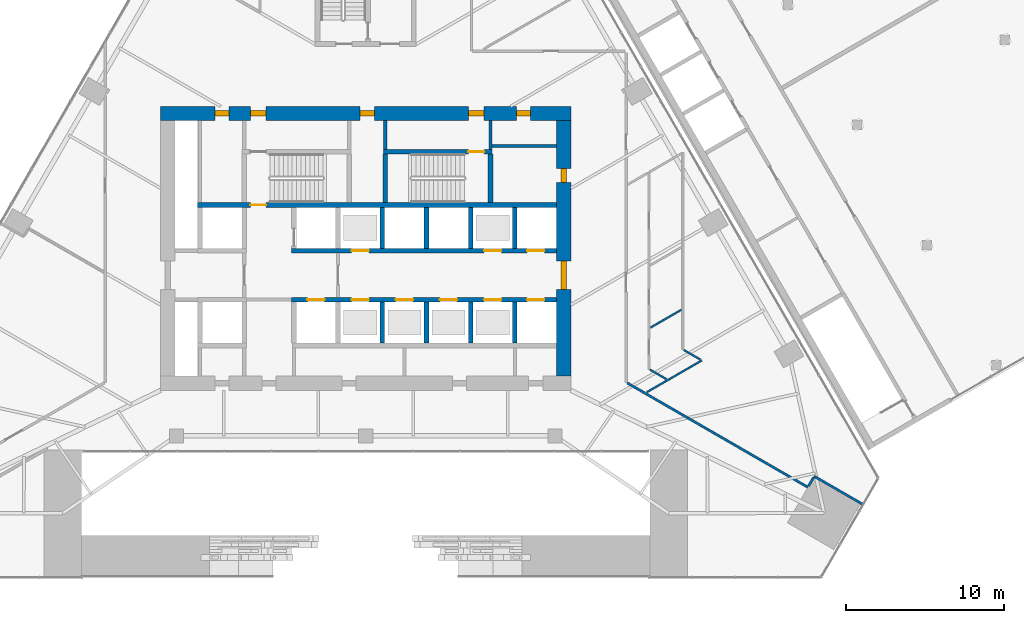
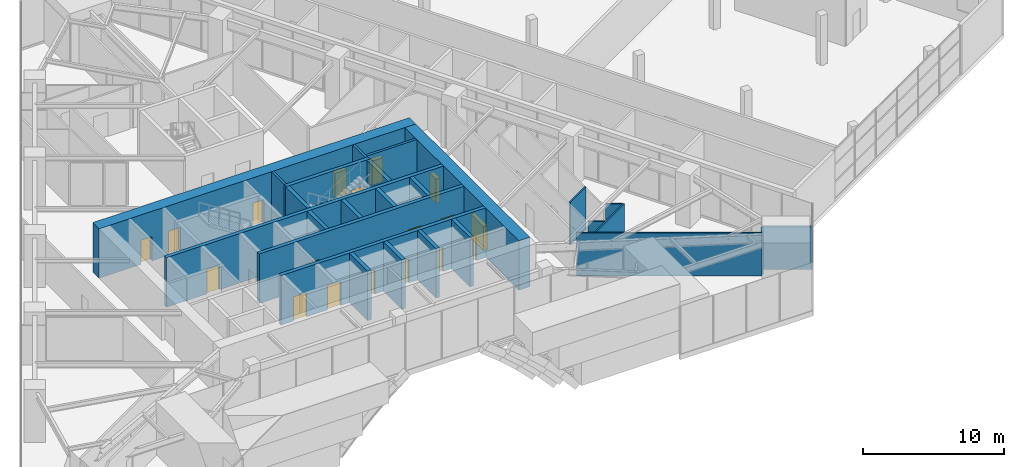
# One storey, part 17 of 23: 26 walls, 18 doors, 18 openings.
"""IFC4 building model written with IfcOpenShell, lengths in metres."""

from ifc_helpers import new_model, si_unit, direction, frame, frame_2d, origin, place, context, subcontext, project, spatial, rectangle, extrude, material, layer, layer_set, type_object, element, fill, save


model = new_model("IFC4")

# Units and contexts
model_context = context("Model", 3, precision=1e-05, world=origin(), true_north=direction((0.0, 1.0)))
body_context = subcontext(model_context, "Body", "Model", "MODEL_VIEW")
ifc_project = project(units=[si_unit("LENGTHUNIT", "METRE"), si_unit("AREAUNIT", "SQUARE_METRE"), si_unit("VOLUMEUNIT", "CUBIC_METRE"), si_unit("PLANEANGLEUNIT", "RADIAN"), si_unit("MASSUNIT", "GRAM", prefix="KILO")], contexts=[model_context])

# Site, building, storey
site_placement = place(None, origin())
site = spatial("IfcSite", under=ifc_project, at=site_placement, CompositionType="ELEMENT")
building_placement = place(site_placement, origin())
building = spatial("IfcBuilding", under=site, at=building_placement, Name="Firuza Gate Tower and Library", CompositionType="ELEMENT")
storey_placement = place(building_placement, frame((0.0, 0.0, 21.800048828125)))
storey = spatial("IfcBuildingStorey", under=building, at=storey_placement, Name="L04", CompositionType="ELEMENT", Elevation=21.800048828125)

# Walls
ifc_material_1 = material(Name="Plasterboard on steel studs", Category="steel")
ifc_layer_1 = layer(ifc_material_1, 0.199951171875)
ifc_layer_set_1 = layer_set([ifc_layer_1], Name="Core partition 200 EI 120")
wall_type_1 = type_object("IfcWallType", Name="Core partition 200 EI 120", PredefinedType="PARTITIONING", material=ifc_layer_set_1)
wall_1_placement = place(storey_placement, frame((83.0, 81.4951171875, 0.0), z_axis=(0.0, 0.0, 1.0), x_axis=(1.0, 0.0, 0.0)))
element("IfcWall", 1, at=wall_1_placement, inside=storey, type_object=wall_type_1, Name="Core partition L04 4", PredefinedType="PARTITIONING", context=body_context, shape_type="SweptSolid", body=[
    extrude(rectangle(XDim=4.10009765625, YDim=0.199951171875, at=frame_2d((2.050048828125, 0.0))), origin(), (0.0, 0.0, 1.0), 4.300048828125),
])
wall_2_placement = place(storey_placement, frame((82.89990234375, 81.280029296875, 0.0), z_axis=(0.0, 0.0, 1.0), x_axis=(0.0, 1.0, 0.0)))
element("IfcWall", 2, at=wall_2_placement, inside=storey, type_object=wall_type_1, Name="Core partition L04 15", PredefinedType="PARTITIONING", context=body_context, shape_type="SweptSolid", body=[
    extrude(rectangle(XDim=1.820068359375, YDim=0.199951171875, at=frame_2d((0.91015625, 0.0))), origin(), (0.0, 0.0, 1.0), 4.300048828125),
])
ifc_material_2 = material(Name="Plasterboard on steel studs", Category="steel")
ifc_layer_2 = layer(ifc_material_2, 0.199951171875)
ifc_layer_set_2 = layer_set([ifc_layer_2], Name="Core partition 200 EI 60")
wall_type_2 = type_object("IfcWallType", Name="Core partition 200 EI 60", PredefinedType="PARTITIONING", material=ifc_layer_set_2)
wall_3_placement = place(storey_placement, frame((76.239990234375, 81.280029296875, 0.0), z_axis=(0.0, 0.0, 1.0), x_axis=(0.0, 1.0, 0.0)))
element("IfcWall", 3, at=wall_3_placement, inside=storey, type_object=wall_type_2, Name="Core partition L04 13", PredefinedType="PARTITIONING", context=body_context, shape_type="SweptSolid", body=[
    extrude(rectangle(XDim=1.820068359375, YDim=0.199951171875, at=frame_2d((0.91015625, 0.0))), origin(), (0.0, 0.0, 1.0), 4.300048828125),
])

# Wall, openings, doors
ifc_material_3 = material(Name="Concrete C80/95", Category="concrete")
ifc_layer_3 = layer(ifc_material_3, 0.300048828125)
ifc_layer_set_3 = layer_set([ifc_layer_3], Name="Core wall 300 C80/95")
wall_type_3 = type_object("IfcWallType", Name="Core wall 300 C80/95", PredefinedType="SHEAR", material=ifc_layer_set_3)
wall_4_placement = place(storey_placement, frame((70.300048828125, 71.75, 0.0), z_axis=(0.0, 0.0, 1.0), x_axis=(1.0, 0.0, 0.0)))
wall_4 = element("IfcWall", 4, at=wall_4_placement, inside=storey, type_object=wall_type_3, Name="Core wall L04 8", PredefinedType="SHEAR", context=body_context, shape_type="SweptSolid", body=[
    extrude(rectangle(XDim=16.800048828125, YDim=0.300048828125, at=frame_2d((8.39990234375, 0.0))), origin(), (0.0, 0.0, 1.0), 4.300048828125),
])
opening_1_placement = place(wall_4_placement, frame((1.0, 0.0, 0.0)))
opening_1 = element("IfcOpeningElement", 5, at=opening_1_placement, cuts=wall_4, Name="Opening LD-FF1-L04", PredefinedType="OPENING", context=body_context, shape_type="SweptSolid", body=[
    extrude(rectangle(XDim=1.10009765625, YDim=2.10009765625, at=frame_2d((0.550048828125, 1.050048828125))), frame((0.0, 0.16015625, 0.0), z_axis=(0.0, -1.0, 0.0), x_axis=(1.0, 0.0, 0.0)), (0.0, 0.0, 1.0), 0.320068359375),
])
opening_2_placement = place(wall_4_placement, frame((3.800048828125, 0.0, 0.0)))
opening_2 = element("IfcOpeningElement", 6, at=opening_2_placement, cuts=wall_4, Name="Opening LD-LR1-L04", PredefinedType="OPENING", context=body_context, shape_type="SweptSolid", body=[
    extrude(rectangle(XDim=1.10009765625, YDim=2.10009765625, at=frame_2d((0.550048828125, 1.050048828125))), frame((0.0, 0.16015625, 0.0), z_axis=(0.0, -1.0, 0.0), x_axis=(1.0, 0.0, 0.0)), (0.0, 0.0, 1.0), 0.320068359375),
])
opening_3_placement = place(wall_4_placement, frame((6.60009765625, 0.0, 0.0)))
opening_3 = element("IfcOpeningElement", 7, at=opening_3_placement, cuts=wall_4, Name="Opening LD-LR2-L04", PredefinedType="OPENING", context=body_context, shape_type="SweptSolid", body=[
    extrude(rectangle(XDim=1.10009765625, YDim=2.10009765625, at=frame_2d((0.550048828125, 1.050048828125))), frame((0.0, 0.16015625, 0.0), z_axis=(0.0, -1.0, 0.0), x_axis=(1.0, 0.0, 0.0)), (0.0, 0.0, 1.0), 0.320068359375),
])
opening_4_placement = place(wall_4_placement, frame((9.39990234375, 0.0, 0.0)))
opening_4 = element("IfcOpeningElement", 8, at=opening_4_placement, cuts=wall_4, Name="Opening LD-LR3-L04", PredefinedType="OPENING", context=body_context, shape_type="SweptSolid", body=[
    extrude(rectangle(XDim=1.10009765625, YDim=2.10009765625, at=frame_2d((0.550048828125, 1.050048828125))), frame((0.0, 0.16015625, 0.0), z_axis=(0.0, -1.0, 0.0), x_axis=(1.0, 0.0, 0.0)), (0.0, 0.0, 1.0), 0.320068359375),
])
opening_5_placement = place(wall_4_placement, frame((12.199951171875, 0.0, 0.0)))
opening_5 = element("IfcOpeningElement", 9, at=opening_5_placement, cuts=wall_4, Name="Opening LD-LR5-L04", PredefinedType="OPENING", context=body_context, shape_type="SweptSolid", body=[
    extrude(rectangle(XDim=1.10009765625, YDim=2.10009765625, at=frame_2d((0.550048828125, 1.050048828125))), frame((0.0, 0.16015625, 0.0), z_axis=(0.0, -1.0, 0.0), x_axis=(1.0, 0.0, 0.0)), (0.0, 0.0, 1.0), 0.320068359375),
])
opening_6_placement = place(wall_4_placement, frame((14.925048828125, 0.0, 0.0)))
opening_6 = element("IfcOpeningElement", 10, at=opening_6_placement, cuts=wall_4, Name="Opening LD-LR7-L04", PredefinedType="OPENING", context=body_context, shape_type="SweptSolid", body=[
    extrude(rectangle(XDim=1.10009765625, YDim=2.10009765625, at=frame_2d((0.550048828125, 1.050048828125))), frame((0.0, 0.16015625, 0.0), z_axis=(0.0, -1.0, 0.0), x_axis=(1.0, 0.0, 0.0)), (0.0, 0.0, 1.0), 0.320068359375),
])
ifc_material_4 = material(Name="Stainless steel", Category="steel")
door_type_1 = type_object("IfcDoorType", Name="Lift landing door 1100x2100", OperationType="DOUBLE_DOOR_SLIDING", PredefinedType="DOOR", material=ifc_material_4)
door_1_placement = place(opening_1_placement, origin())
door_1 = element("IfcDoor", 11, at=door_1_placement, inside=storey, type_object=door_type_1, Name="Landing door FF1 L04", OperationType="DOUBLE_DOOR_SLIDING", OverallHeight=2.10009765625, OverallWidth=1.10009765625, PredefinedType="DOOR", context=body_context, shape_type="SweptSolid", body=[
    extrude(rectangle(XDim=1.10009765625, YDim=2.10009765625, at=frame_2d((0.550048828125, 1.050048828125))), frame((0.0, 0.02490234375, 0.0), z_axis=(0.0, -1.0, 0.0), x_axis=(1.0, 0.0, 0.0)), (0.0, 0.0, 1.0), 0.050048828125),
])
fill(opening_1, door_1)
door_2_placement = place(opening_2_placement, origin())
door_2 = element("IfcDoor", 12, at=door_2_placement, inside=storey, type_object=door_type_1, Name="Landing door LR1 L04", OperationType="DOUBLE_DOOR_SLIDING", OverallHeight=2.10009765625, OverallWidth=1.10009765625, PredefinedType="DOOR", context=body_context, shape_type="SweptSolid", body=[
    extrude(rectangle(XDim=1.10009765625, YDim=2.10009765625, at=frame_2d((0.550048828125, 1.050048828125))), frame((0.0, 0.02490234375, 0.0), z_axis=(0.0, -1.0, 0.0), x_axis=(1.0, 0.0, 0.0)), (0.0, 0.0, 1.0), 0.050048828125),
])
fill(opening_2, door_2)
door_3_placement = place(opening_3_placement, origin())
door_3 = element("IfcDoor", 13, at=door_3_placement, inside=storey, type_object=door_type_1, Name="Landing door LR2 L04", OperationType="DOUBLE_DOOR_SLIDING", OverallHeight=2.10009765625, OverallWidth=1.10009765625, PredefinedType="DOOR", context=body_context, shape_type="SweptSolid", body=[
    extrude(rectangle(XDim=1.10009765625, YDim=2.10009765625, at=frame_2d((0.550048828125, 1.050048828125))), frame((0.0, 0.02490234375, 0.0), z_axis=(0.0, -1.0, 0.0), x_axis=(1.0, 0.0, 0.0)), (0.0, 0.0, 1.0), 0.050048828125),
])
fill(opening_3, door_3)
door_4_placement = place(opening_4_placement, origin())
door_4 = element("IfcDoor", 14, at=door_4_placement, inside=storey, type_object=door_type_1, Name="Landing door LR3 L04", OperationType="DOUBLE_DOOR_SLIDING", OverallHeight=2.10009765625, OverallWidth=1.10009765625, PredefinedType="DOOR", context=body_context, shape_type="SweptSolid", body=[
    extrude(rectangle(XDim=1.10009765625, YDim=2.10009765625, at=frame_2d((0.550048828125, 1.050048828125))), frame((0.0, 0.02490234375, 0.0), z_axis=(0.0, -1.0, 0.0), x_axis=(1.0, 0.0, 0.0)), (0.0, 0.0, 1.0), 0.050048828125),
])
fill(opening_4, door_4)
door_5_placement = place(opening_5_placement, origin())
door_5 = element("IfcDoor", 15, at=door_5_placement, inside=storey, type_object=door_type_1, Name="Landing door LR5 L04", OperationType="DOUBLE_DOOR_SLIDING", OverallHeight=2.10009765625, OverallWidth=1.10009765625, PredefinedType="DOOR", context=body_context, shape_type="SweptSolid", body=[
    extrude(rectangle(XDim=1.10009765625, YDim=2.10009765625, at=frame_2d((0.550048828125, 1.050048828125))), frame((0.0, 0.02490234375, 0.0), z_axis=(0.0, -1.0, 0.0), x_axis=(1.0, 0.0, 0.0)), (0.0, 0.0, 1.0), 0.050048828125),
])
fill(opening_5, door_5)
door_6_placement = place(opening_6_placement, origin())
door_6 = element("IfcDoor", 16, at=door_6_placement, inside=storey, type_object=door_type_1, Name="Landing door LR7 L04", OperationType="DOUBLE_DOOR_SLIDING", OverallHeight=2.10009765625, OverallWidth=1.10009765625, PredefinedType="DOOR", context=body_context, shape_type="SweptSolid", body=[
    extrude(rectangle(XDim=1.10009765625, YDim=2.10009765625, at=frame_2d((0.550048828125, 1.050048828125))), frame((0.0, 0.02490234375, 0.0), z_axis=(0.0, -1.0, 0.0), x_axis=(1.0, 0.0, 0.0)), (0.0, 0.0, 1.0), 0.050048828125),
])
fill(opening_6, door_6)

wall_5_placement = place(storey_placement, frame((70.300048828125, 74.85009765625, 0.0), z_axis=(0.0, 0.0, 1.0), x_axis=(1.0, 0.0, 0.0)))
wall_5 = element("IfcWall", 17, at=wall_5_placement, inside=storey, type_object=wall_type_3, Name="Core wall L04 10", PredefinedType="SHEAR", context=body_context, shape_type="SweptSolid", body=[
    extrude(rectangle(XDim=16.800048828125, YDim=0.300048828125, at=frame_2d((8.39990234375, 0.0))), origin(), (0.0, 0.0, 1.0), 4.300048828125),
])
opening_7_placement = place(wall_5_placement, frame((3.800048828125, 0.0, 0.0)))
opening_7 = element("IfcOpeningElement", 18, at=opening_7_placement, cuts=wall_5, Name="Opening LD-LR4-L04", PredefinedType="OPENING", context=body_context, shape_type="SweptSolid", body=[
    extrude(rectangle(XDim=1.10009765625, YDim=2.10009765625, at=frame_2d((0.550048828125, 1.050048828125))), frame((0.0, 0.16015625, 0.0), z_axis=(0.0, -1.0, 0.0), x_axis=(1.0, 0.0, 0.0)), (0.0, 0.0, 1.0), 0.320068359375),
])
opening_8_placement = place(wall_5_placement, frame((12.199951171875, 0.0, 0.0)))
opening_8 = element("IfcOpeningElement", 19, at=opening_8_placement, cuts=wall_5, Name="Opening LD-LR6-L04", PredefinedType="OPENING", context=body_context, shape_type="SweptSolid", body=[
    extrude(rectangle(XDim=1.10009765625, YDim=2.10009765625, at=frame_2d((0.550048828125, 1.050048828125))), frame((0.0, 0.16015625, 0.0), z_axis=(0.0, -1.0, 0.0), x_axis=(1.0, 0.0, 0.0)), (0.0, 0.0, 1.0), 0.320068359375),
])
opening_9_placement = place(wall_5_placement, frame((14.925048828125, 0.0, 0.0)))
opening_9 = element("IfcOpeningElement", 20, at=opening_9_placement, cuts=wall_5, Name="Opening LD-LR8-L04", PredefinedType="OPENING", context=body_context, shape_type="SweptSolid", body=[
    extrude(rectangle(XDim=1.10009765625, YDim=2.10009765625, at=frame_2d((0.550048828125, 1.050048828125))), frame((0.0, 0.16015625, 0.0), z_axis=(0.0, -1.0, 0.0), x_axis=(1.0, 0.0, 0.0)), (0.0, 0.0, 1.0), 0.320068359375),
])
door_7_placement = place(opening_7_placement, origin())
door_7 = element("IfcDoor", 21, at=door_7_placement, inside=storey, type_object=door_type_1, Name="Landing door LR4 L04", OperationType="DOUBLE_DOOR_SLIDING", OverallHeight=2.10009765625, OverallWidth=1.10009765625, PredefinedType="DOOR", context=body_context, shape_type="SweptSolid", body=[
    extrude(rectangle(XDim=1.10009765625, YDim=2.10009765625, at=frame_2d((0.550048828125, 1.050048828125))), frame((0.0, 0.02490234375, 0.0), z_axis=(0.0, -1.0, 0.0), x_axis=(1.0, 0.0, 0.0)), (0.0, 0.0, 1.0), 0.050048828125),
])
fill(opening_7, door_7)
door_8_placement = place(opening_8_placement, origin())
door_8 = element("IfcDoor", 22, at=door_8_placement, inside=storey, type_object=door_type_1, Name="Landing door LR6 L04", OperationType="DOUBLE_DOOR_SLIDING", OverallHeight=2.10009765625, OverallWidth=1.10009765625, PredefinedType="DOOR", context=body_context, shape_type="SweptSolid", body=[
    extrude(rectangle(XDim=1.10009765625, YDim=2.10009765625, at=frame_2d((0.550048828125, 1.050048828125))), frame((0.0, 0.02490234375, 0.0), z_axis=(0.0, -1.0, 0.0), x_axis=(1.0, 0.0, 0.0)), (0.0, 0.0, 1.0), 0.050048828125),
])
fill(opening_8, door_8)
door_9_placement = place(opening_9_placement, origin())
door_9 = element("IfcDoor", 23, at=door_9_placement, inside=storey, type_object=door_type_1, Name="Landing door LR8 L04", OperationType="DOUBLE_DOOR_SLIDING", OverallHeight=2.10009765625, OverallWidth=1.10009765625, PredefinedType="DOOR", context=body_context, shape_type="SweptSolid", body=[
    extrude(rectangle(XDim=1.10009765625, YDim=2.10009765625, at=frame_2d((0.550048828125, 1.050048828125))), frame((0.0, 0.02490234375, 0.0), z_axis=(0.0, -1.0, 0.0), x_axis=(1.0, 0.0, 0.0)), (0.0, 0.0, 1.0), 0.050048828125),
])
fill(opening_9, door_9)

# Walls
for number, where, z_axis, x_axis, name in (
    (24, (76.050048828125, 69.0, 0.0), (0.0, 0.0, 1.0), (0.0, 1.0, 0.0), "Core wall L04 19"),
    (25, (76.050048828125, 75.0, 0.0), (0.0, 0.0, 1.0), (0.0, 1.0, 0.0), "Core wall L04 20"),
    (26, (78.85009765625, 69.0, 0.0), (0.0, 0.0, 1.0), (0.0, 1.0, 0.0), "Core wall L04 21"),
    (27, (78.85009765625, 75.0, 0.0), (0.0, 0.0, 1.0), (0.0, 1.0, 0.0), "Core wall L04 22"),
    (28, (81.64990234375, 69.0, 0.0), (0.0, 0.0, 1.0), (0.0, 1.0, 0.0), "Core wall L04 23"),
    (29, (81.64990234375, 75.0, 0.0), (0.0, 0.0, 1.0), (0.0, 1.0, 0.0), "Core wall L04 24"),
    (30, (84.449951171875, 69.0, 0.0), (0.0, 0.0, 1.0), (0.0, 1.0, 0.0), "Core wall L04 25"),
    (31, (84.449951171875, 75.0, 0.0), (0.0, 0.0, 1.0), (0.0, 1.0, 0.0), "Core wall L04 26"),
):
    element("IfcWall", number, at=place(storey_placement, frame(where, z_axis=z_axis, x_axis=x_axis)), inside=storey, type_object=wall_type_3, Name=name, PredefinedType="SHEAR", context=body_context, shape_type="SweptSolid", body=[
        extrude(rectangle(XDim=2.60009765625, YDim=0.300048828125, at=frame_2d((1.300048828125, 0.0))), origin(), (0.0, 0.0, 1.0), 4.300048828125),
    ])

# Wall, opening, door
wall_6_placement = place(storey_placement, frame((64.35009765625, 77.75, 0.0), z_axis=(0.0, 0.0, 1.0), x_axis=(1.0, 0.0, 0.0)))
wall_6 = element("IfcWall", 32, at=wall_6_placement, inside=storey, type_object=wall_type_3, Name="Core wall L04 27", PredefinedType="SHEAR", context=body_context, shape_type="SweptSolid", body=[
    extrude(rectangle(XDim=22.75, YDim=0.300048828125, at=frame_2d((11.375, 0.0))), origin(), (0.0, 0.0, 1.0), 4.300048828125),
])
opening_10_placement = place(wall_6_placement, frame((3.344970703125, 0.0, 0.0)))
opening_10 = element("IfcOpeningElement", 33, at=opening_10_placement, cuts=wall_6, Name="Opening L04-K12", PredefinedType="OPENING", context=body_context, shape_type="SweptSolid", body=[
    extrude(rectangle(XDim=1.0, YDim=2.10009765625, at=frame_2d((0.5, 1.050048828125))), frame((0.0, 0.16015625, 0.0), z_axis=(0.0, -1.0, 0.0), x_axis=(1.0, 0.0, 0.0)), (0.0, 0.0, 1.0), 0.320068359375),
])
ifc_material_5 = material(Name="Steel", Category="steel")
door_type_2 = type_object("IfcDoorType", Name="Fire door 1000x2100 FD90", OperationType="NOTDEFINED", PredefinedType="DOOR", material=ifc_material_5)
door_10_placement = place(opening_10_placement, origin())
door_10 = element("IfcDoor", 34, at=door_10_placement, inside=storey, type_object=door_type_2, Name="Door L04-K12", OperationType="SINGLE_SWING_LEFT", OverallHeight=2.10009765625, OverallWidth=1.0, PredefinedType="DOOR", context=body_context, shape_type="SweptSolid", body=[
    extrude(rectangle(XDim=1.0, YDim=2.10009765625, at=frame_2d((0.5, 1.050048828125))), frame((0.0, 0.02490234375, 0.0), z_axis=(0.0, -1.0, 0.0), x_axis=(1.0, 0.0, 0.0)), (0.0, 0.0, 1.0), 0.050048828125),
])
fill(opening_10, door_10)

wall_7_placement = place(storey_placement, frame((76.139892578125, 81.1298828125, 0.0), z_axis=(0.0, 0.0, 1.0), x_axis=(1.0, 0.0, 0.0)))
wall_7 = element("IfcWall", 35, at=wall_7_placement, inside=storey, type_object=wall_type_3, Name="Core wall L04 29", PredefinedType="SHEAR", context=body_context, shape_type="SweptSolid", body=[
    extrude(rectangle(XDim=6.860107421875, YDim=0.300048828125, at=frame_2d((3.43017578125, 0.0))), origin(), (0.0, 0.0, 1.0), 4.300048828125),
])
opening_11_placement = place(wall_7_placement, frame((5.364990234375, 0.0, 0.0)))
opening_11 = element("IfcOpeningElement", 36, at=opening_11_placement, cuts=wall_7, Name="Opening L04-K15", PredefinedType="OPENING", context=body_context, shape_type="SweptSolid", body=[
    extrude(rectangle(XDim=1.0, YDim=2.10009765625, at=frame_2d((0.5, 1.050048828125))), frame((0.0, 0.16015625, 0.0), z_axis=(0.0, -1.0, 0.0), x_axis=(1.0, 0.0, 0.0)), (0.0, 0.0, 1.0), 0.320068359375),
])
door_11_placement = place(opening_11_placement, origin())
door_11 = element("IfcDoor", 37, at=door_11_placement, inside=storey, type_object=door_type_2, Name="Door L04-K15", OperationType="SINGLE_SWING_RIGHT", OverallHeight=2.10009765625, OverallWidth=1.0, PredefinedType="DOOR", context=body_context, shape_type="SweptSolid", body=[
    extrude(rectangle(XDim=1.0, YDim=2.10009765625, at=frame_2d((0.5, 1.050048828125))), frame((0.0, 0.02490234375, 0.0), z_axis=(0.0, -1.0, 0.0), x_axis=(1.0, 0.0, 0.0)), (0.0, 0.0, 1.0), 0.050048828125),
])
fill(opening_11, door_11)

# Walls
for number, where, z_axis, x_axis, name in (
    (38, (76.239990234375, 77.89990234375, 0.0), (0.0, 0.0, 1.0), (0.0, 1.0, 0.0), "Core wall L04 32"),
    (39, (82.89990234375, 77.89990234375, 0.0), (0.0, 0.0, 1.0), (0.0, 1.0, 0.0), "Core wall L04 33"),
):
    element("IfcWall", number, at=place(storey_placement, frame(where, z_axis=z_axis, x_axis=x_axis)), inside=storey, type_object=wall_type_3, Name=name, PredefinedType="SHEAR", context=body_context, shape_type="SweptSolid", body=[
        extrude(rectangle(XDim=3.080078125, YDim=0.300048828125, at=frame_2d((1.5400390625, 0.0))), origin(), (0.0, 0.0, 1.0), 4.300048828125),
    ])

# Wall, openings, doors
ifc_material_6 = material(Name="Concrete C80/95", Category="concrete")
ifc_layer_4 = layer(ifc_material_6, 0.89990234375)
ifc_layer_set_4 = layer_set([ifc_layer_4], Name="Core wall 900 C80/95")
wall_type_4 = type_object("IfcWallType", Name="Core wall 900 C80/95", PredefinedType="SHEAR", material=ifc_layer_set_4)
wall_8_placement = place(storey_placement, frame((62.0, 83.550048828125, 0.0), z_axis=(0.0, 0.0, 1.0), x_axis=(1.0, 0.0, 0.0)))
wall_8 = element("IfcWall", 40, at=wall_8_placement, inside=storey, type_object=wall_type_4, Name="Core wall L04 2", PredefinedType="SHEAR", context=body_context, shape_type="SweptSolid", body=[
    extrude(rectangle(XDim=26.0, YDim=0.89990234375, at=frame_2d((13.0, 0.0))), origin(), (0.0, 0.0, 1.0), 4.300048828125),
])
opening_12_placement = place(wall_8_placement, frame((5.695068359375, 0.0, 0.0)))
opening_12 = element("IfcOpeningElement", 41, at=opening_12_placement, cuts=wall_8, Name="Opening L04-K14", PredefinedType="OPENING", context=body_context, shape_type="SweptSolid", body=[
    extrude(rectangle(XDim=1.0, YDim=2.10009765625, at=frame_2d((0.5, 1.050048828125))), frame((0.0, 0.4599609375, 0.0), z_axis=(0.0, -1.0, 0.0), x_axis=(1.0, 0.0, 0.0)), (0.0, 0.0, 1.0), 0.919921875),
])
opening_13_placement = place(wall_8_placement, frame((19.5048828125, 0.0, 0.0)))
opening_13 = element("IfcOpeningElement", 42, at=opening_13_placement, cuts=wall_8, Name="Opening L04-K16", PredefinedType="OPENING", context=body_context, shape_type="SweptSolid", body=[
    extrude(rectangle(XDim=1.0, YDim=2.10009765625, at=frame_2d((0.5, 1.050048828125))), frame((0.0, 0.4599609375, 0.0), z_axis=(0.0, -1.0, 0.0), x_axis=(1.0, 0.0, 0.0)), (0.0, 0.0, 1.0), 0.919921875),
])
opening_14_placement = place(wall_8_placement, frame((3.449951171875, 0.0, 0.0)))
opening_14 = element("IfcOpeningElement", 43, at=opening_14_placement, cuts=wall_8, Name="Opening L04-K29", PredefinedType="OPENING", context=body_context, shape_type="SweptSolid", body=[
    extrude(rectangle(XDim=0.89990234375, YDim=2.10009765625, at=frame_2d((0.449951171875, 1.050048828125))), frame((0.0, 0.4599609375, 0.0), z_axis=(0.0, -1.0, 0.0), x_axis=(1.0, 0.0, 0.0)), (0.0, 0.0, 1.0), 0.919921875),
])
opening_15_placement = place(wall_8_placement, frame((12.64990234375, 0.0, 0.0)))
opening_15 = element("IfcOpeningElement", 44, at=opening_15_placement, cuts=wall_8, Name="Opening L04-K30", PredefinedType="OPENING", context=body_context, shape_type="SweptSolid", body=[
    extrude(rectangle(XDim=0.89990234375, YDim=2.10009765625, at=frame_2d((0.449951171875, 1.050048828125))), frame((0.0, 0.4599609375, 0.0), z_axis=(0.0, -1.0, 0.0), x_axis=(1.0, 0.0, 0.0)), (0.0, 0.0, 1.0), 0.919921875),
])
opening_16_placement = place(wall_8_placement, frame((22.550048828125, 0.0, 0.0)))
opening_16 = element("IfcOpeningElement", 45, at=opening_16_placement, cuts=wall_8, Name="Opening L04-K32", PredefinedType="OPENING", context=body_context, shape_type="SweptSolid", body=[
    extrude(rectangle(XDim=0.89990234375, YDim=2.10009765625, at=frame_2d((0.449951171875, 1.050048828125))), frame((0.0, 0.4599609375, 0.0), z_axis=(0.0, -1.0, 0.0), x_axis=(1.0, 0.0, 0.0)), (0.0, 0.0, 1.0), 0.919921875),
])
door_12_placement = place(opening_12_placement, origin())
door_12 = element("IfcDoor", 46, at=door_12_placement, inside=storey, type_object=door_type_2, Name="Door L04-K14", OperationType="SINGLE_SWING_LEFT", OverallHeight=2.10009765625, OverallWidth=1.0, PredefinedType="DOOR", context=body_context, shape_type="SweptSolid", body=[
    extrude(rectangle(XDim=1.0, YDim=2.10009765625, at=frame_2d((0.5, 1.050048828125))), frame((0.0, 0.169921875, 0.0), z_axis=(0.0, -1.0, 0.0), x_axis=(1.0, 0.0, 0.0)), (0.0, 0.0, 1.0), 0.33984375),
])
fill(opening_12, door_12)
door_13_placement = place(opening_13_placement, origin())
door_13 = element("IfcDoor", 47, at=door_13_placement, inside=storey, type_object=door_type_2, Name="Door L04-K16", OperationType="SINGLE_SWING_LEFT", OverallHeight=2.10009765625, OverallWidth=1.0, PredefinedType="DOOR", context=body_context, shape_type="SweptSolid", body=[
    extrude(rectangle(XDim=1.0, YDim=2.10009765625, at=frame_2d((0.5, 1.050048828125))), frame((0.0, 0.169921875, 0.0), z_axis=(0.0, -1.0, 0.0), x_axis=(1.0, 0.0, 0.0)), (0.0, 0.0, 1.0), 0.33984375),
])
fill(opening_13, door_13)
ifc_material_7 = material(Name="Steel", Category="steel")
door_type_3 = type_object("IfcDoorType", Name="Fire door 900x2100 FD30S", OperationType="NOTDEFINED", PredefinedType="DOOR", material=ifc_material_7)
door_14_placement = place(opening_14_placement, origin())
door_14 = element("IfcDoor", 48, at=door_14_placement, inside=storey, type_object=door_type_3, Name="Door L04-K29", OperationType="SINGLE_SWING_RIGHT", OverallHeight=2.10009765625, OverallWidth=0.89990234375, PredefinedType="DOOR", context=body_context, shape_type="SweptSolid", body=[
    extrude(rectangle(XDim=0.89990234375, YDim=2.10009765625, at=frame_2d((0.449951171875, 1.050048828125))), frame((0.0, 0.169921875, 0.0), z_axis=(0.0, -1.0, 0.0), x_axis=(1.0, 0.0, 0.0)), (0.0, 0.0, 1.0), 0.33984375),
])
fill(opening_14, door_14)
door_15_placement = place(opening_15_placement, origin())
door_15 = element("IfcDoor", 49, at=door_15_placement, inside=storey, type_object=door_type_3, Name="Door L04-K30", OperationType="SINGLE_SWING_LEFT", OverallHeight=2.10009765625, OverallWidth=0.89990234375, PredefinedType="DOOR", context=body_context, shape_type="SweptSolid", body=[
    extrude(rectangle(XDim=0.89990234375, YDim=2.10009765625, at=frame_2d((0.449951171875, 1.050048828125))), frame((0.0, 0.169921875, 0.0), z_axis=(0.0, -1.0, 0.0), x_axis=(1.0, 0.0, 0.0)), (0.0, 0.0, 1.0), 0.33984375),
])
fill(opening_15, door_15)
door_16_placement = place(opening_16_placement, origin())
door_16 = element("IfcDoor", 50, at=door_16_placement, inside=storey, type_object=door_type_3, Name="Door L04-K32", OperationType="SINGLE_SWING_LEFT", OverallHeight=2.10009765625, OverallWidth=0.89990234375, PredefinedType="DOOR", context=body_context, shape_type="SweptSolid", body=[
    extrude(rectangle(XDim=0.89990234375, YDim=2.10009765625, at=frame_2d((0.449951171875, 1.050048828125))), frame((0.0, 0.169921875, 0.0), z_axis=(0.0, -1.0, 0.0), x_axis=(1.0, 0.0, 0.0)), (0.0, 0.0, 1.0), 0.33984375),
])
fill(opening_16, door_16)

wall_9_placement = place(storey_placement, frame((87.550048828125, 66.89990234375, 0.0), z_axis=(0.0, 0.0, 1.0), x_axis=(0.0, 1.0, 0.0)))
wall_9 = element("IfcWall", 51, at=wall_9_placement, inside=storey, type_object=wall_type_4, Name="Core wall L04 4", PredefinedType="SHEAR", context=body_context, shape_type="SweptSolid", body=[
    extrude(rectangle(XDim=16.2001953125, YDim=0.89990234375, at=frame_2d((8.10009765625, 0.0))), origin(), (0.0, 0.0, 1.0), 4.300048828125),
])
opening_17_placement = place(wall_9_placement, frame((5.5, 0.0, 0.0)))
opening_17 = element("IfcOpeningElement", 52, at=opening_17_placement, cuts=wall_9, Name="Opening L04-K23", PredefinedType="OPENING", context=body_context, shape_type="SweptSolid", body=[
    extrude(rectangle(XDim=1.800048828125, YDim=2.10009765625, at=frame_2d((0.89990234375, 1.050048828125))), frame((0.0, 0.4599609375, 0.0), z_axis=(0.0, -1.0, 0.0), x_axis=(1.0, 0.0, 0.0)), (0.0, 0.0, 1.0), 0.919921875),
])
opening_18_placement = place(wall_9_placement, frame((12.2724609375, 0.0, 0.0)))
opening_18 = element("IfcOpeningElement", 53, at=opening_18_placement, cuts=wall_9, Name="Opening L04-K31", PredefinedType="OPENING", context=body_context, shape_type="SweptSolid", body=[
    extrude(rectangle(XDim=0.89990234375, YDim=2.10009765625, at=frame_2d((0.449951171875, 1.050048828125))), frame((0.0, 0.4599609375, 0.0), z_axis=(0.0, -1.0, 0.0), x_axis=(1.0, 0.0, 0.0)), (0.0, 0.0, 1.0), 0.919921875),
])
ifc_material_8 = material(Name="Steel", Category="steel")
door_type_4 = type_object("IfcDoorType", Name="Fire door 1800x2100 FD30S", OperationType="NOTDEFINED", PredefinedType="DOOR", material=ifc_material_8)
door_17_placement = place(opening_17_placement, origin())
door_17 = element("IfcDoor", 54, at=door_17_placement, inside=storey, type_object=door_type_4, Name="Door L04-K23", OperationType="SINGLE_SWING_RIGHT", OverallHeight=2.10009765625, OverallWidth=1.800048828125, PredefinedType="DOOR", context=body_context, shape_type="SweptSolid", body=[
    extrude(rectangle(XDim=1.800048828125, YDim=2.10009765625, at=frame_2d((0.89990234375, 1.050048828125))), frame((0.0, 0.169921875, 0.0), z_axis=(0.0, -1.0, 0.0), x_axis=(1.0, 0.0, 0.0)), (0.0, 0.0, 1.0), 0.33984375),
])
fill(opening_17, door_17)
door_18_placement = place(opening_18_placement, origin())
door_18 = element("IfcDoor", 55, at=door_18_placement, inside=storey, type_object=door_type_3, Name="Door L04-K31", OperationType="SINGLE_SWING_RIGHT", OverallHeight=2.10009765625, OverallWidth=0.89990234375, PredefinedType="DOOR", context=body_context, shape_type="SweptSolid", body=[
    extrude(rectangle(XDim=0.89990234375, YDim=2.10009765625, at=frame_2d((0.449951171875, 1.050048828125))), frame((0.0, 0.169921875, 0.0), z_axis=(0.0, -1.0, 0.0), x_axis=(1.0, 0.0, 0.0)), (0.0, 0.0, 1.0), 0.33984375),
])
fill(opening_18, door_18)

# Walls
ifc_material_9 = material(Name="Gypsum board partition")
ifc_layer_5 = layer(ifc_material_9, 0.14990234375)
ifc_layer_set_5 = layer_set([ifc_layer_5], Name="Corridor wall 150 double board on steel studs")
wall_type_5 = type_object("IfcWallType", Name="Corridor wall 150 double board on steel studs", PredefinedType="PARTITIONING", material=ifc_layer_set_5)
wall_10_placement = place(storey_placement, frame((103.0615234375, 59.93603515625, 0.0), z_axis=(0.0, 0.0, 1.0), x_axis=(0.500163094741, 0.865931220513, 0.0)))
element("IfcWall", 56, at=wall_10_placement, inside=storey, type_object=wall_type_5, Name="f:L04:w013", PredefinedType="PARTITIONING", context=body_context, shape_type="SweptSolid", body=[
    extrude(rectangle(XDim=0.639404296875, YDim=0.14990234375, at=frame_2d((0.31982421875, 0.0))), origin(), (0.0, 0.0, 1.0), 3.699951171875),
])
wall_11_placement = place(storey_placement, frame((106.501953125, 58.775390625, 0.0), z_axis=(0.0, 0.0, 1.0), x_axis=(-0.866014251095, 0.500019316528, 0.0)))
element("IfcWall", 57, at=wall_11_placement, inside=storey, type_object=wall_type_5, Name="f:L04:w039", PredefinedType="PARTITIONING", context=body_context, shape_type="SweptSolid", body=[
    extrude(rectangle(XDim=3.559326171875, YDim=0.14990234375, at=frame_2d((1.77978515625, 0.0))), origin(), (0.0, 0.0, 1.0), 3.699951171875),
])
wall_12_placement = place(storey_placement, frame((103.01904296875, 59.862548828125, 0.0), z_axis=(0.0, 0.0, 1.0), x_axis=(-0.866027754727, 0.499995928025, 0.0)))
element("IfcWall", 58, at=wall_12_placement, inside=storey, type_object=wall_type_5, Name="f:L04:w040", PredefinedType="PARTITIONING", context=body_context, shape_type="SweptSolid", body=[
    extrude(rectangle(XDim=13.21435546875, YDim=0.14990234375, at=frame_2d((6.607177734375, 0.0))), origin(), (0.0, 0.0, 1.0), 3.699951171875),
])
ifc_material_10 = material(Name="Gypsum board partition")
ifc_layer_6 = layer(ifc_material_10, 0.1201171875)
ifc_layer_set_6 = layer_set([ifc_layer_6], Name="Wet-area partition 120 moisture-resistant board")
wall_type_6 = type_object("IfcWallType", Name="Wet-area partition 120 moisture-resistant board", PredefinedType="PARTITIONING", material=ifc_layer_set_6)
wall_13_placement = place(storey_placement, frame((92.8095703125, 65.883544921875, 0.0), z_axis=(0.0, 0.0, 1.0), x_axis=(0.866035286884, 0.499982881579, 0.0)))
element("IfcWall", 59, at=wall_13_placement, inside=storey, type_object=wall_type_6, Name="f:L04:w005", PredefinedType="PARTITIONING", context=body_context, shape_type="SweptSolid", body=[
    extrude(rectangle(XDim=4.030517578125, YDim=0.1201171875, at=frame_2d((2.01513671875, 0.0))), origin(), (0.0, 0.0, 1.0), 3.699951171875),
])
wall_14_placement = place(storey_placement, frame((93.044921875, 69.977783203125, 0.0), z_axis=(0.0, 0.0, 1.0), x_axis=(0.866058089564, 0.499943382296, 0.0)))
element("IfcWall", 60, at=wall_14_placement, inside=storey, type_object=wall_type_6, Name="f:L04:w006", PredefinedType="PARTITIONING", context=body_context, shape_type="SweptSolid", body=[
    extrude(rectangle(XDim=2.263916015625, YDim=0.1201171875, at=frame_2d((1.1318359375, 0.0))), origin(), (0.0, 0.0, 1.0), 3.699951171875),
])
wall_15_placement = place(storey_placement, frame((96.205322265625, 67.953369140625, 0.0), z_axis=(0.0, 0.0, 1.0), x_axis=(-0.865993562134, 0.500055147301, 0.0)))
element("IfcWall", 61, at=wall_15_placement, inside=storey, type_object=wall_type_6, Name="f:L04:w037", PredefinedType="PARTITIONING", context=body_context, shape_type="SweptSolid", body=[
    extrude(rectangle(XDim=1.206787109375, YDim=0.1201171875, at=frame_2d((0.603515625, 0.0))), origin(), (0.0, 0.0, 1.0), 3.699951171875),
])
wall_16_placement = place(storey_placement, frame((94.055419921875, 66.7119140625, 0.0), z_axis=(0.0, 0.0, 1.0), x_axis=(-0.866044131922, 0.499967560512, 0.0)))
element("IfcWall", 62, at=wall_16_placement, inside=storey, type_object=wall_type_6, Name="f:L04:w038", PredefinedType="PARTITIONING", context=body_context, shape_type="SweptSolid", body=[
    extrude(rectangle(XDim=1.20703125, YDim=0.1201171875, at=frame_2d((0.603515625, 0.0))), origin(), (0.0, 0.0, 1.0), 3.699951171875),
])

save(model, "model.ifc")
